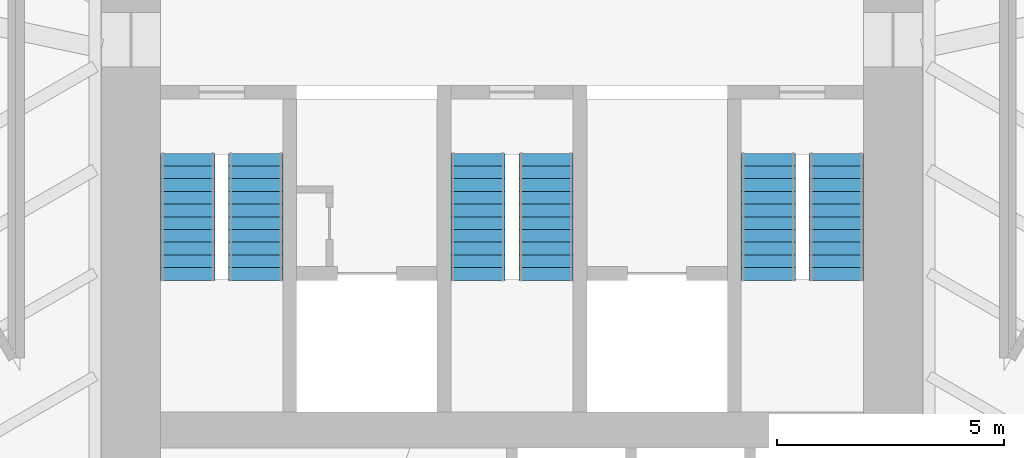
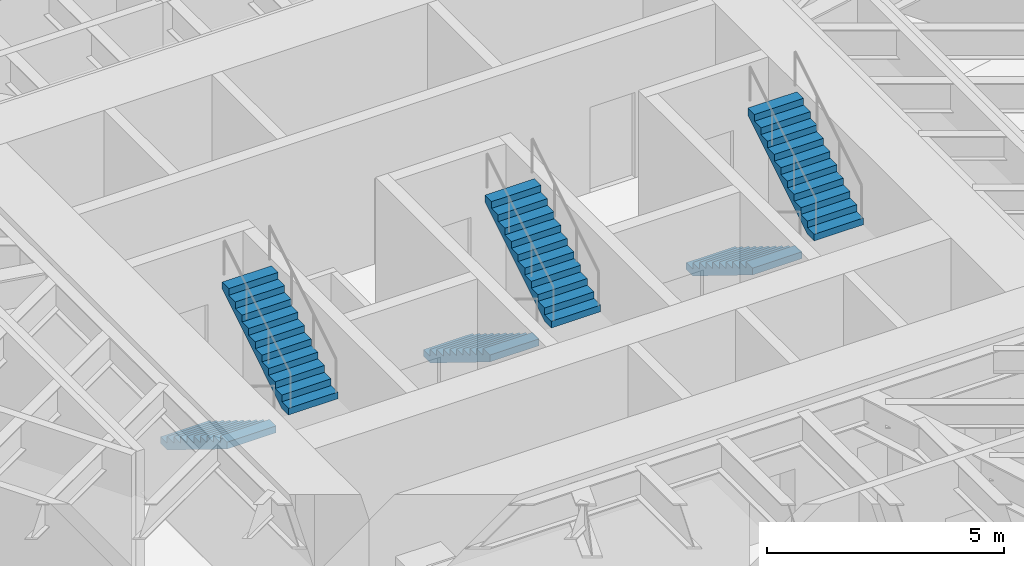
# One storey, part 16 of 17: 6 stair flights, 3 elements without a shape of their own.
"""IFC4 building model written with IfcOpenShell, lengths in metres."""

from ifc_helpers import new_model, si_unit, direction, frame, origin, place, context, subcontext, project, spatial, polyline, outline, extrude, material, type_object, element, aggregate, save


model = new_model("IFC4")

# Units and contexts
model_context = context("Model", 3, precision=1e-05, world=origin(), true_north=direction((0.0, 1.0)))
body_context = subcontext(model_context, "Body", "Model", "MODEL_VIEW")
ifc_project = project(units=[si_unit("LENGTHUNIT", "METRE"), si_unit("AREAUNIT", "SQUARE_METRE"), si_unit("VOLUMEUNIT", "CUBIC_METRE"), si_unit("PLANEANGLEUNIT", "RADIAN"), si_unit("MASSUNIT", "GRAM", prefix="KILO")], contexts=[model_context])

# Site, building, storey
site_placement = place(None, origin())
site = spatial("IfcSite", under=ifc_project, at=site_placement, CompositionType="ELEMENT")
building_placement = place(site_placement, origin())
building = spatial("IfcBuilding", under=site, at=building_placement, Name="Sandreach Pilgrim Tower", CompositionType="ELEMENT")
storey_placement = place(building_placement, frame((0.0, 0.0, 108.199951171875)))
storey = spatial("IfcBuildingStorey", under=building, at=storey_placement, Name="L26", CompositionType="ELEMENT", Elevation=108.199951171875)

# Stair, stair flights
ifc_material_1 = material(Name="Concrete 8000 psi", Category="concrete")
stair_type = type_object("IfcStairType", Name="Core exit stair", PredefinedType="HALF_TURN_STAIR", material=ifc_material_1)
stair_1_placement = place(storey_placement, origin())
stair_1 = element("IfcStair", 1, at=stair_1_placement, inside=storey, type_object=stair_type, Name="Exit stair ST1 L26", PredefinedType="HALF_TURN_STAIR")
ifc_material_2 = material(Name="Concrete 8000 psi", Category="concrete")
stair_flight_type = type_object("IfcStairFlightType", Name="Core stair flight 1200", PredefinedType="STRAIGHT", material=ifc_material_2)
stair_flight_1_placement = place(storey_placement, frame((-7.14990234375, -0.39990234375, 0.0), z_axis=(0.0, 0.0, 1.0), x_axis=(0.0, -1.0, 0.0)))
stair_flight_1 = element("IfcStairFlight", 2, at=stair_flight_1_placement, type_object=stair_flight_type, Name="ST1 flight 1", NumberOfRisers=11, NumberOfTreads=10, PredefinedType="STRAIGHT", RiserHeight=0.172727273, TreadLength=0.28, context=body_context, shape_type="SweptSolid", body=[
    extrude(outline(polyline([(0.0, 0.0), (0.0, 0.172607421875), (0.280029296875, 0.172607421875), (0.280029296875, 0.345458984375), (0.56005859375, 0.345458984375), (0.56005859375, 0.51806640625), (0.840087890625, 0.51806640625), (0.840087890625, 0.69091796875), (1.1201171875, 0.69091796875), (1.1201171875, 0.863525390625), (1.39990234375, 0.863525390625), (1.39990234375, 1.036376953125), (1.679931640625, 1.036376953125), (1.679931640625, 1.208984375), (1.9599609375, 1.208984375), (1.9599609375, 1.3818359375), (2.239990234375, 1.3818359375), (2.239990234375, 1.554443359375), (2.52001953125, 1.554443359375), (2.52001953125, 1.727294921875), (2.800048828125, 1.727294921875), (2.800048828125, 1.89990234375), (2.800048828125, 1.551025390625), (0.285400390625, 0.0), (0.0, 0.0)])), frame((0.0, 0.60009765625, 0.0), z_axis=(0.0, -1.0, 0.0), x_axis=(1.0, 0.0, 0.0)), (0.0, 0.0, 1.0), 1.199951171875),
])
stair_flight_2_placement = place(storey_placement, frame((-5.64990234375, -3.199951171875, 1.900146484375), z_axis=(0.0, 0.0, 1.0), x_axis=(0.0, 1.0, 0.0)))
stair_flight_2 = element("IfcStairFlight", 3, at=stair_flight_2_placement, type_object=stair_flight_type, Name="ST1 flight 2", NumberOfRisers=11, NumberOfTreads=10, PredefinedType="STRAIGHT", RiserHeight=0.172727273, TreadLength=0.28, context=body_context, shape_type="SweptSolid", body=[
    extrude(outline(polyline([(0.0, 0.0), (0.0, 0.172607421875), (0.280029296875, 0.172607421875), (0.280029296875, 0.345458984375), (0.56005859375, 0.345458984375), (0.56005859375, 0.51806640625), (0.840087890625, 0.51806640625), (0.840087890625, 0.69091796875), (1.1201171875, 0.69091796875), (1.1201171875, 0.863525390625), (1.39990234375, 0.863525390625), (1.39990234375, 1.036376953125), (1.679931640625, 1.036376953125), (1.679931640625, 1.208984375), (1.9599609375, 1.208984375), (1.9599609375, 1.3818359375), (2.239990234375, 1.3818359375), (2.239990234375, 1.554443359375), (2.52001953125, 1.554443359375), (2.52001953125, 1.727294921875), (2.800048828125, 1.727294921875), (2.800048828125, 1.89990234375), (2.800048828125, 1.551025390625), (0.285400390625, 0.0), (0.0, 0.0)])), frame((0.0, 0.60009765625, 0.0), z_axis=(0.0, -1.0, 0.0), x_axis=(1.0, 0.0, 0.0)), (0.0, 0.0, 1.0), 1.199951171875),
])
aggregate(stair_1, [stair_flight_1, stair_flight_2])

stair_2_placement = place(storey_placement, origin())
stair_2 = element("IfcStair", 4, at=stair_2_placement, inside=storey, type_object=stair_type, Name="Exit stair ST3 L26", PredefinedType="HALF_TURN_STAIR")
stair_flight_3_placement = place(storey_placement, frame((-0.75, -0.39990234375, 0.0), z_axis=(0.0, 0.0, 1.0), x_axis=(0.0, -1.0, 0.0)))
stair_flight_3 = element("IfcStairFlight", 5, at=stair_flight_3_placement, type_object=stair_flight_type, Name="ST3 flight 1", NumberOfRisers=11, NumberOfTreads=10, PredefinedType="STRAIGHT", RiserHeight=0.172727273, TreadLength=0.28, context=body_context, shape_type="SweptSolid", body=[
    extrude(outline(polyline([(0.0, 0.0), (0.0, 0.172607421875), (0.280029296875, 0.172607421875), (0.280029296875, 0.345458984375), (0.56005859375, 0.345458984375), (0.56005859375, 0.51806640625), (0.840087890625, 0.51806640625), (0.840087890625, 0.69091796875), (1.1201171875, 0.69091796875), (1.1201171875, 0.863525390625), (1.39990234375, 0.863525390625), (1.39990234375, 1.036376953125), (1.679931640625, 1.036376953125), (1.679931640625, 1.208984375), (1.9599609375, 1.208984375), (1.9599609375, 1.3818359375), (2.239990234375, 1.3818359375), (2.239990234375, 1.554443359375), (2.52001953125, 1.554443359375), (2.52001953125, 1.727294921875), (2.800048828125, 1.727294921875), (2.800048828125, 1.89990234375), (2.800048828125, 1.551025390625), (0.285400390625, 0.0), (0.0, 0.0)])), frame((0.0, 0.60009765625, 0.0), z_axis=(0.0, -1.0, 0.0), x_axis=(1.0, 0.0, 0.0)), (0.0, 0.0, 1.0), 1.199951171875),
])
stair_flight_4_placement = place(storey_placement, frame((0.75, -3.199951171875, 1.900146484375), z_axis=(0.0, 0.0, 1.0), x_axis=(0.0, 1.0, 0.0)))
stair_flight_4 = element("IfcStairFlight", 6, at=stair_flight_4_placement, type_object=stair_flight_type, Name="ST3 flight 2", NumberOfRisers=11, NumberOfTreads=10, PredefinedType="STRAIGHT", RiserHeight=0.172727273, TreadLength=0.28, context=body_context, shape_type="SweptSolid", body=[
    extrude(outline(polyline([(0.0, 0.0), (0.0, 0.172607421875), (0.280029296875, 0.172607421875), (0.280029296875, 0.345458984375), (0.56005859375, 0.345458984375), (0.56005859375, 0.51806640625), (0.840087890625, 0.51806640625), (0.840087890625, 0.69091796875), (1.1201171875, 0.69091796875), (1.1201171875, 0.863525390625), (1.39990234375, 0.863525390625), (1.39990234375, 1.036376953125), (1.679931640625, 1.036376953125), (1.679931640625, 1.208984375), (1.9599609375, 1.208984375), (1.9599609375, 1.3818359375), (2.239990234375, 1.3818359375), (2.239990234375, 1.554443359375), (2.52001953125, 1.554443359375), (2.52001953125, 1.727294921875), (2.800048828125, 1.727294921875), (2.800048828125, 1.89990234375), (2.800048828125, 1.551025390625), (0.285400390625, 0.0), (0.0, 0.0)])), frame((0.0, 0.60009765625, 0.0), z_axis=(0.0, -1.0, 0.0), x_axis=(1.0, 0.0, 0.0)), (0.0, 0.0, 1.0), 1.199951171875),
])
aggregate(stair_2, [stair_flight_3, stair_flight_4])

stair_3_placement = place(storey_placement, origin())
stair_3 = element("IfcStair", 7, at=stair_3_placement, inside=storey, type_object=stair_type, Name="Exit stair ST2 L26", PredefinedType="HALF_TURN_STAIR")
stair_flight_5_placement = place(storey_placement, frame((5.64990234375, -0.39990234375, 0.0), z_axis=(0.0, 0.0, 1.0), x_axis=(0.0, -1.0, 0.0)))
stair_flight_5 = element("IfcStairFlight", 8, at=stair_flight_5_placement, type_object=stair_flight_type, Name="ST2 flight 1", NumberOfRisers=11, NumberOfTreads=10, PredefinedType="STRAIGHT", RiserHeight=0.172727273, TreadLength=0.28, context=body_context, shape_type="SweptSolid", body=[
    extrude(outline(polyline([(0.0, 0.0), (0.0, 0.172607421875), (0.280029296875, 0.172607421875), (0.280029296875, 0.345458984375), (0.56005859375, 0.345458984375), (0.56005859375, 0.51806640625), (0.840087890625, 0.51806640625), (0.840087890625, 0.69091796875), (1.1201171875, 0.69091796875), (1.1201171875, 0.863525390625), (1.39990234375, 0.863525390625), (1.39990234375, 1.036376953125), (1.679931640625, 1.036376953125), (1.679931640625, 1.208984375), (1.9599609375, 1.208984375), (1.9599609375, 1.3818359375), (2.239990234375, 1.3818359375), (2.239990234375, 1.554443359375), (2.52001953125, 1.554443359375), (2.52001953125, 1.727294921875), (2.800048828125, 1.727294921875), (2.800048828125, 1.89990234375), (2.800048828125, 1.551025390625), (0.285400390625, 0.0), (0.0, 0.0)])), frame((0.0, 0.60009765625, 0.0), z_axis=(0.0, -1.0, 0.0), x_axis=(1.0, 0.0, 0.0)), (0.0, 0.0, 1.0), 1.199951171875),
])
stair_flight_6_placement = place(storey_placement, frame((7.14990234375, -3.199951171875, 1.900146484375), z_axis=(0.0, 0.0, 1.0), x_axis=(0.0, 1.0, 0.0)))
stair_flight_6 = element("IfcStairFlight", 9, at=stair_flight_6_placement, type_object=stair_flight_type, Name="ST2 flight 2", NumberOfRisers=11, NumberOfTreads=10, PredefinedType="STRAIGHT", RiserHeight=0.172727273, TreadLength=0.28, context=body_context, shape_type="SweptSolid", body=[
    extrude(outline(polyline([(0.0, 0.0), (0.0, 0.172607421875), (0.280029296875, 0.172607421875), (0.280029296875, 0.345458984375), (0.56005859375, 0.345458984375), (0.56005859375, 0.51806640625), (0.840087890625, 0.51806640625), (0.840087890625, 0.69091796875), (1.1201171875, 0.69091796875), (1.1201171875, 0.863525390625), (1.39990234375, 0.863525390625), (1.39990234375, 1.036376953125), (1.679931640625, 1.036376953125), (1.679931640625, 1.208984375), (1.9599609375, 1.208984375), (1.9599609375, 1.3818359375), (2.239990234375, 1.3818359375), (2.239990234375, 1.554443359375), (2.52001953125, 1.554443359375), (2.52001953125, 1.727294921875), (2.800048828125, 1.727294921875), (2.800048828125, 1.89990234375), (2.800048828125, 1.551025390625), (0.285400390625, 0.0), (0.0, 0.0)])), frame((0.0, 0.60009765625, 0.0), z_axis=(0.0, -1.0, 0.0), x_axis=(1.0, 0.0, 0.0)), (0.0, 0.0, 1.0), 1.199951171875),
])
aggregate(stair_3, [stair_flight_5, stair_flight_6])

save(model, "model.ifc")
